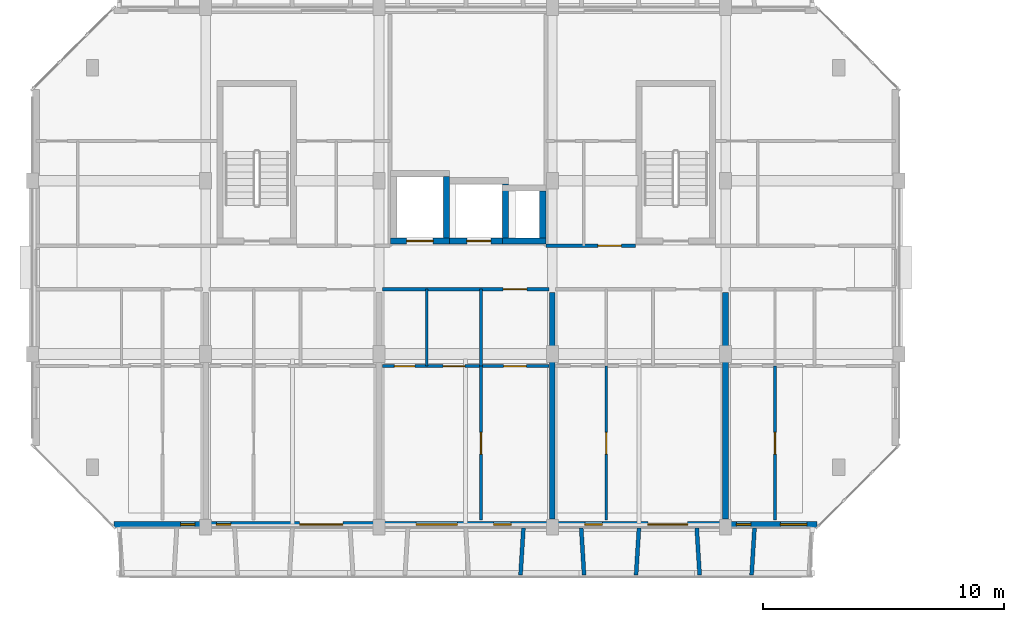
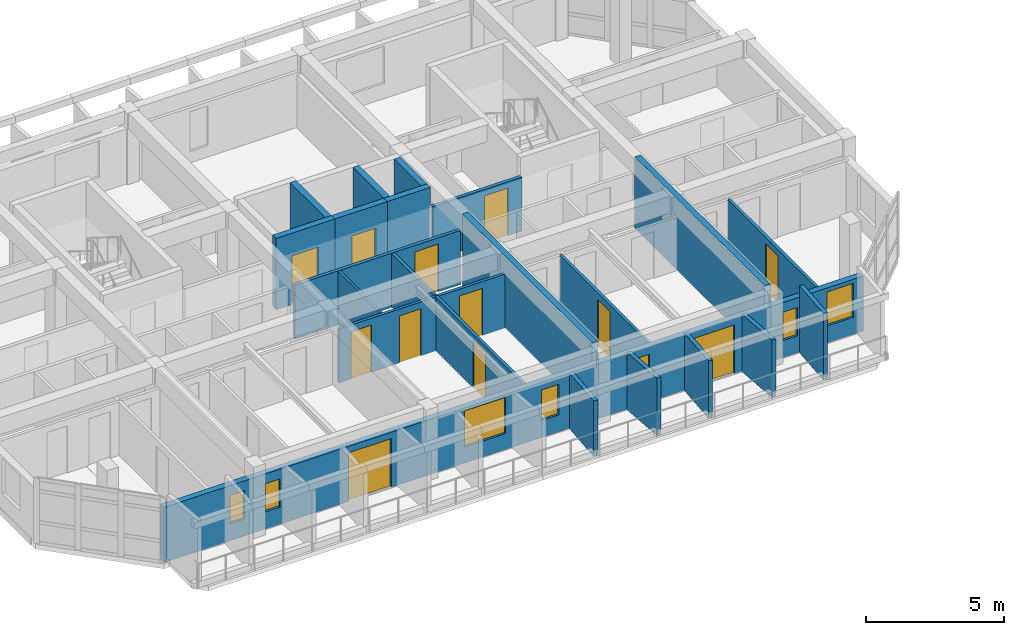
# One storey, part 23 of 51: 22 walls, 12 doors, 7 windows, 19 openings.
"""IFC4 building model written with IfcOpenShell, lengths in metres."""

from ifc_helpers import new_model, si_unit, direction, frame, frame_2d, origin, place, context, subcontext, project, spatial, rectangle, extrude, material, layer, layer_set, type_object, element, fill, save


model = new_model("IFC4")

# Units and contexts
model_context = context("Model", 3, precision=1e-05, world=origin(), true_north=direction((0.0, 1.0)))
body_context = subcontext(model_context, "Body", "Model", "MODEL_VIEW")
ifc_project = project(units=[si_unit("LENGTHUNIT", "METRE"), si_unit("AREAUNIT", "SQUARE_METRE"), si_unit("VOLUMEUNIT", "CUBIC_METRE"), si_unit("PLANEANGLEUNIT", "RADIAN"), si_unit("MASSUNIT", "GRAM", prefix="KILO")], contexts=[model_context])

# Site, building, storey
site_placement = place(None, origin())
site = spatial("IfcSite", under=ifc_project, at=site_placement, CompositionType="ELEMENT")
building_placement = place(site_placement, origin())
building = spatial("IfcBuilding", under=site, at=building_placement, Name="Ochrevale Crest", CompositionType="ELEMENT")
storey_placement = place(building_placement, frame((0.0, 0.0, 11.85009765625)))
storey = spatial("IfcBuildingStorey", under=building, at=storey_placement, Name="L03", CompositionType="ELEMENT", Elevation=11.85009765625)

# Wall, opening, door
ifc_material_1 = material(Name="Gypsum plasterboard", Category="gypsum")
ifc_layer_1 = layer(ifc_material_1, 0.139892578125)
ifc_layer_set_1 = layer_set([ifc_layer_1], Name="Gypsum plasterboard")
wall_type_1 = type_object("IfcWallType", Name="WL-COR-140", PredefinedType="PARTITIONING", material=ifc_layer_set_1)
wall_1_placement = place(storey_placement, frame((14.5400390625, 24.300048828125, 0.0), z_axis=(0.0, 0.0, 1.0), x_axis=(1.0, 0.0, 0.0)))
wall_1 = element("IfcWall", 1, at=wall_1_placement, inside=storey, type_object=wall_type_1, Name="Apartment A-L03-U3 corridor wall", PredefinedType="PARTITIONING", context=body_context, shape_type="SweptSolid", body=[
    extrude(rectangle(XDim=6.919921875, YDim=0.139892578125, at=frame_2d((3.4599609375, 0.0))), origin(), (0.0, 0.0, 1.0), 2.3798828125),
])
opening_1_placement = place(wall_1_placement, frame((6.0, 0.0, 0.0), z_axis=(0.0, 0.0, 1.0), x_axis=(-1.0, 0.0, 0.0)))
opening_1 = element("IfcOpeningElement", 2, at=opening_1_placement, cuts=wall_1, Name="Opening FD01", PredefinedType="OPENING", context=body_context, shape_type="SweptSolid", body=[
    extrude(rectangle(XDim=0.97998046875, YDim=2.10009765625, at=frame_2d((0.489990234375, 1.050048828125))), frame((0.0, 0.080078125, 0.0), z_axis=(0.0, -1.0, 0.0), x_axis=(1.0, 0.0, 0.0)), (0.0, 0.0, 1.0), 0.159912109375),
])
ifc_material_2 = material(Name="Solid-core FSC hardwood", Category="wood")
door_type_1 = type_object("IfcDoorType", Name="DR-APT-950", OperationType="NOTDEFINED", PredefinedType="DOOR", material=ifc_material_2)
door_1_placement = place(opening_1_placement, origin())
door_1 = element("IfcDoor", 3, at=door_1_placement, inside=storey, type_object=door_type_1, Name="Apartment A-L03-U3 entrance door", OperationType="SINGLE_SWING_RIGHT", OverallHeight=2.10009765625, OverallWidth=0.97998046875, PredefinedType="DOOR", context=body_context, shape_type="SweptSolid", body=[
    extrude(rectangle(XDim=0.97998046875, YDim=2.10009765625, at=frame_2d((0.489990234375, 1.050048828125))), frame((0.0, 0.02490234375, 0.0), z_axis=(0.0, -1.0, 0.0), x_axis=(1.0, 0.0, 0.0)), (0.0, 0.0, 1.0), 0.050048828125),
])
fill(opening_1, door_1)

wall_2_placement = place(storey_placement, frame((21.340087890625, 26.10009765625, 0.0), z_axis=(0.0, 0.0, 1.0), x_axis=(1.0, 0.0, 0.0)))
wall_2 = element("IfcWall", 4, at=wall_2_placement, inside=storey, type_object=wall_type_1, Name="Suite A-L03-ME corridor wall", PredefinedType="PARTITIONING", context=body_context, shape_type="SweptSolid", body=[
    extrude(rectangle(XDim=3.719970703125, YDim=0.139892578125, at=frame_2d((1.85986328125, 0.0))), origin(), (0.0, 0.0, 1.0), 2.3798828125),
])
opening_2_placement = place(wall_2_placement, frame((2.151123046875, 0.0, 0.0)))
opening_2 = element("IfcOpeningElement", 5, at=opening_2_placement, cuts=wall_2, Name="Opening FD01", PredefinedType="OPENING", context=body_context, shape_type="SweptSolid", body=[
    extrude(rectangle(XDim=0.97998046875, YDim=2.10009765625, at=frame_2d((0.489990234375, 1.050048828125))), frame((0.0, 0.080078125, 0.0), z_axis=(0.0, -1.0, 0.0), x_axis=(1.0, 0.0, 0.0)), (0.0, 0.0, 1.0), 0.159912109375),
])
door_2_placement = place(opening_2_placement, origin())
door_2 = element("IfcDoor", 6, at=door_2_placement, inside=storey, type_object=door_type_1, Name="Suite A-L03-ME entrance door", OperationType="SINGLE_SWING_LEFT", OverallHeight=2.10009765625, OverallWidth=0.97998046875, PredefinedType="DOOR", context=body_context, shape_type="SweptSolid", body=[
    extrude(rectangle(XDim=0.97998046875, YDim=2.10009765625, at=frame_2d((0.489990234375, 1.050048828125))), frame((0.0, 0.02490234375, 0.0), z_axis=(0.0, -1.0, 0.0), x_axis=(1.0, 0.0, 0.0)), (0.0, 0.0, 1.0), 0.050048828125),
])
fill(opening_2, door_2)

ifc_material_3 = material(Name="Precast concrete C50/60", Category="concrete")
ifc_layer_2 = layer(ifc_material_3, 0.2548828125)
ifc_layer_set_2 = layer_set([ifc_layer_2], Name="Precast concrete C50/60")
wall_type_2 = type_object("IfcWallType", Name="WL-CORE-255", PredefinedType="SHEAR", material=ifc_layer_set_2)
wall_3_placement = place(storey_placement, frame((14.87255859375, 26.300048828125, 0.0), z_axis=(0.0, 0.0, 1.0), x_axis=(1.0, 0.0, 0.0)))
wall_3 = element("IfcWall", 7, at=wall_3_placement, inside=storey, type_object=wall_type_2, Name="Block A L03 Lift 1 precast shaft shear wall S", PredefinedType="SHEAR", context=body_context, shape_type="SweptSolid", body=[
    extrude(rectangle(XDim=2.454833984375, YDim=0.2548828125, at=frame_2d((1.2275390625, 0.0))), origin(), (0.0, 0.0, 1.0), 3.14990234375),
])
opening_3_placement = place(wall_3_placement, frame((0.677490234375, 0.0, 0.0)))
opening_3 = element("IfcOpeningElement", 8, at=opening_3_placement, cuts=wall_3, Name="Opening LD01", PredefinedType="OPENING", context=body_context, shape_type="SweptSolid", body=[
    extrude(rectangle(XDim=1.10009765625, YDim=2.14990234375, at=frame_2d((0.550048828125, 1.074951171875))), frame((0.0, 0.137451171875, 0.0), z_axis=(0.0, -1.0, 0.0), x_axis=(1.0, 0.0, 0.0)), (0.0, 0.0, 1.0), 0.27490234375),
])
door_type_2 = type_object("IfcDoorType", Name="DR-LIFT-1100", OperationType="NOTDEFINED", PredefinedType="DOOR", material=ifc_material_2)
door_3_placement = place(opening_3_placement, origin())
door_3 = element("IfcDoor", 9, at=door_3_placement, inside=storey, type_object=door_type_2, Name="Lift LF-A1 L03 sliding landing door", OperationType="SLIDING_TO_LEFT", OverallHeight=2.14990234375, OverallWidth=1.10009765625, PredefinedType="DOOR", context=body_context, shape_type="SweptSolid", body=[
    extrude(rectangle(XDim=1.10009765625, YDim=2.14990234375, at=frame_2d((0.550048828125, 1.074951171875))), frame((0.0, 0.02490234375, 0.0), z_axis=(0.0, -1.0, 0.0), x_axis=(1.0, 0.0, 0.0)), (0.0, 0.0, 1.0), 0.050048828125),
])
fill(opening_3, door_3)

# Wall
wall_4_placement = place(storey_placement, frame((17.199951171875, 26.427490234375, 0.0), z_axis=(0.0, 0.0, 1.0), x_axis=(0.0, 1.0, 0.0)))
element("IfcWall", 10, at=wall_4_placement, inside=storey, type_object=wall_type_2, Name="Block A L03 Lift 1 precast shaft shear wall E", PredefinedType="SHEAR", context=body_context, shape_type="SweptSolid", body=[
    extrude(rectangle(XDim=2.544921875, YDim=0.2548828125, at=frame_2d((1.2724609375, 0.0))), origin(), (0.0, 0.0, 1.0), 3.14990234375),
])

# Wall, opening, door
wall_5_placement = place(storey_placement, frame((17.322509765625, 26.300048828125, 0.0), z_axis=(0.0, 0.0, 1.0), x_axis=(1.0, 0.0, 0.0)))
wall_5 = element("IfcWall", 11, at=wall_5_placement, inside=storey, type_object=wall_type_2, Name="Block A L03 Lift 2 precast shaft shear wall S", PredefinedType="SHEAR", context=body_context, shape_type="SweptSolid", body=[
    extrude(rectangle(XDim=2.455078125, YDim=0.2548828125, at=frame_2d((1.2275390625, 0.0))), origin(), (0.0, 0.0, 1.0), 3.14990234375),
])
opening_4_placement = place(wall_5_placement, frame((0.7275390625, 0.0, 0.0)))
opening_4 = element("IfcOpeningElement", 12, at=opening_4_placement, cuts=wall_5, Name="Opening LD02", PredefinedType="OPENING", context=body_context, shape_type="SweptSolid", body=[
    extrude(rectangle(XDim=1.0, YDim=2.14990234375, at=frame_2d((0.5, 1.074951171875))), frame((0.0, 0.137451171875, 0.0), z_axis=(0.0, -1.0, 0.0), x_axis=(1.0, 0.0, 0.0)), (0.0, 0.0, 1.0), 0.27490234375),
])
door_type_3 = type_object("IfcDoorType", Name="DR-LIFT-1000", OperationType="NOTDEFINED", PredefinedType="DOOR", material=ifc_material_2)
door_4_placement = place(opening_4_placement, origin())
door_4 = element("IfcDoor", 13, at=door_4_placement, inside=storey, type_object=door_type_3, Name="Lift LP-A2 L03 sliding landing door", OperationType="SLIDING_TO_RIGHT", OverallHeight=2.14990234375, OverallWidth=1.0, PredefinedType="DOOR", context=body_context, shape_type="SweptSolid", body=[
    extrude(rectangle(XDim=1.0, YDim=2.14990234375, at=frame_2d((0.5, 1.074951171875))), frame((0.0, 0.02490234375, 0.0), z_axis=(0.0, -1.0, 0.0), x_axis=(1.0, 0.0, 0.0)), (0.0, 0.0, 1.0), 0.050048828125),
])
fill(opening_4, door_4)

# Walls
wall_6_placement = place(storey_placement, frame((19.64990234375, 26.427490234375, 0.0), z_axis=(0.0, 0.0, 1.0), x_axis=(0.0, 1.0, 0.0)))
element("IfcWall", 14, at=wall_6_placement, inside=storey, type_object=wall_type_2, Name="Block A L03 Lift 2 precast shaft shear wall E", PredefinedType="SHEAR", context=body_context, shape_type="SweptSolid", body=[
    extrude(rectangle(XDim=2.2451171875, YDim=0.2548828125, at=frame_2d((1.12255859375, 0.0))), origin(), (0.0, 0.0, 1.0), 3.14990234375),
])
wall_7_placement = place(storey_placement, frame((19.5224609375, 26.300048828125, 0.0), z_axis=(0.0, 0.0, 1.0), x_axis=(1.0, 0.0, 0.0)))
element("IfcWall", 15, at=wall_7_placement, inside=storey, type_object=wall_type_2, Name="Block A L03 services riser shaft core wall S", PredefinedType="SHEAR", context=body_context, shape_type="SweptSolid", body=[
    extrude(rectangle(XDim=1.804931640625, YDim=0.2548828125, at=frame_2d((0.90234375, 0.0))), origin(), (0.0, 0.0, 1.0), 3.14990234375),
])
wall_8_placement = place(storey_placement, frame((21.199951171875, 26.427490234375, 0.0), z_axis=(0.0, 0.0, 1.0), x_axis=(0.0, 1.0, 0.0)))
element("IfcWall", 16, at=wall_8_placement, inside=storey, type_object=wall_type_2, Name="Block A L03 services riser shaft core wall E", PredefinedType="SHEAR", context=body_context, shape_type="SweptSolid", body=[
    extrude(rectangle(XDim=1.945068359375, YDim=0.2548828125, at=frame_2d((0.97265625, 0.0))), origin(), (0.0, 0.0, 1.0), 3.14990234375),
])

# Wall, openings, doors, windows
ifc_material_4 = material(Name="Precast concrete C40/50", Category="concrete")
ifc_layer_3 = layer(ifc_material_4, 0.25)
ifc_layer_set_3 = layer_set([ifc_layer_3], Name="Precast concrete C40/50")
wall_type_3 = type_object("IfcWallType", Name="WL-EXT-GOLD-250", PredefinedType="SOLIDWALL", material=ifc_layer_set_3)
wall_9_placement = place(storey_placement, frame((3.39990234375, 14.52490234375, 0.0), z_axis=(0.0, 0.0, 1.0), x_axis=(1.0, 0.0, 0.0)))
wall_9 = element("IfcWall", 17, at=wall_9_placement, inside=storey, type_object=wall_type_3, Name="Block A L03 external facade wall E1", PredefinedType="SOLIDWALL", context=body_context, shape_type="SweptSolid", body=[
    extrude(rectangle(XDim=29.2001953125, YDim=0.25, at=frame_2d((14.60009765625, 0.0))), origin(), (0.0, 0.0, 1.0), 2.429931640625),
])
opening_5_placement = place(wall_9_placement, frame((9.5, 0.0, 0.0), z_axis=(0.0, 0.0, 1.0), x_axis=(-1.0, 0.0, 0.0)))
opening_5 = element("IfcOpeningElement", 18, at=opening_5_placement, cuts=wall_9, Name="Opening BD03", PredefinedType="OPENING", context=body_context, shape_type="SweptSolid", body=[
    extrude(rectangle(XDim=1.800048828125, YDim=2.14990234375, at=frame_2d((0.89990234375, 1.074951171875))), frame((0.0, 0.135009765625, 0.0), z_axis=(0.0, -1.0, 0.0), x_axis=(1.0, 0.0, 0.0)), (0.0, 0.0, 1.0), 0.27001953125),
])
opening_6_placement = place(wall_9_placement, frame((23.824951171875, 0.0, 0.0), z_axis=(0.0, 0.0, 1.0), x_axis=(-1.0, 0.0, 0.0)))
opening_6 = element("IfcOpeningElement", 19, at=opening_6_placement, cuts=wall_9, Name="Opening BD02", PredefinedType="OPENING", context=body_context, shape_type="SweptSolid", body=[
    extrude(rectangle(XDim=1.64990234375, YDim=2.14990234375, at=frame_2d((0.824951171875, 1.074951171875))), frame((0.0, 0.135009765625, 0.0), z_axis=(0.0, -1.0, 0.0), x_axis=(1.0, 0.0, 0.0)), (0.0, 0.0, 1.0), 0.27001953125),
])
opening_7_placement = place(wall_9_placement, frame((2.7548828125, 0.0, 0.75)))
opening_7 = element("IfcOpeningElement", 20, at=opening_7_placement, cuts=wall_9, Name="Opening W01", PredefinedType="OPENING", context=body_context, shape_type="SweptSolid", body=[
    extrude(rectangle(XDim=0.60009765625, YDim=1.25, at=frame_2d((0.300048828125, 0.625))), frame((0.0, 0.135009765625, 0.0), z_axis=(0.0, -1.0, 0.0), x_axis=(1.0, 0.0, 0.0)), (0.0, 0.0, 1.0), 0.27001953125),
])
opening_8_placement = place(wall_9_placement, frame((4.2451171875, 0.0, 0.75)))
opening_8 = element("IfcOpeningElement", 21, at=opening_8_placement, cuts=wall_9, Name="Opening W01", PredefinedType="OPENING", context=body_context, shape_type="SweptSolid", body=[
    extrude(rectangle(XDim=0.60009765625, YDim=1.25, at=frame_2d((0.300048828125, 0.625))), frame((0.0, 0.135009765625, 0.0), z_axis=(0.0, -1.0, 0.0), x_axis=(1.0, 0.0, 0.0)), (0.0, 0.0, 1.0), 0.27001953125),
])
opening_9_placement = place(wall_9_placement, frame((12.5400390625, 0.0, 0.699951171875)))
opening_9 = element("IfcOpeningElement", 22, at=opening_9_placement, cuts=wall_9, Name="Opening W10", PredefinedType="OPENING", context=body_context, shape_type="SweptSolid", body=[
    extrude(rectangle(XDim=1.719970703125, YDim=1.60009765625, at=frame_2d((0.85986328125, 0.800048828125))), frame((0.0, 0.135009765625, 0.0), z_axis=(0.0, -1.0, 0.0), x_axis=(1.0, 0.0, 0.0)), (0.0, 0.0, 1.0), 0.27001953125),
])
opening_10_placement = place(wall_9_placement, frame((15.764892578125, 0.0, 0.75)))
opening_10 = element("IfcOpeningElement", 23, at=opening_10_placement, cuts=wall_9, Name="Opening W02", PredefinedType="OPENING", context=body_context, shape_type="SweptSolid", body=[
    extrude(rectangle(XDim=0.719970703125, YDim=1.35009765625, at=frame_2d((0.35986328125, 0.675048828125))), frame((0.0, 0.135009765625, 0.0), z_axis=(0.0, -1.0, 0.0), x_axis=(1.0, 0.0, 0.0)), (0.0, 0.0, 1.0), 0.27001953125),
])
opening_11_placement = place(wall_9_placement, frame((19.554931640625, 0.0, 0.75)))
opening_11 = element("IfcOpeningElement", 24, at=opening_11_placement, cuts=wall_9, Name="Opening W02", PredefinedType="OPENING", context=body_context, shape_type="SweptSolid", body=[
    extrude(rectangle(XDim=0.719970703125, YDim=1.35009765625, at=frame_2d((0.35986328125, 0.675048828125))), frame((0.0, 0.135009765625, 0.0), z_axis=(0.0, -1.0, 0.0), x_axis=(1.0, 0.0, 0.0)), (0.0, 0.0, 1.0), 0.27001953125),
])
opening_12_placement = place(wall_9_placement, frame((25.844970703125, 0.0, 0.75)))
opening_12 = element("IfcOpeningElement", 25, at=opening_12_placement, cuts=wall_9, Name="Opening W01", PredefinedType="OPENING", context=body_context, shape_type="SweptSolid", body=[
    extrude(rectangle(XDim=0.60009765625, YDim=1.25, at=frame_2d((0.300048828125, 0.625))), frame((0.0, 0.135009765625, 0.0), z_axis=(0.0, -1.0, 0.0), x_axis=(1.0, 0.0, 0.0)), (0.0, 0.0, 1.0), 0.27001953125),
])
opening_13_placement = place(wall_9_placement, frame((27.679931640625, 0.0, 0.75)))
opening_13 = element("IfcOpeningElement", 26, at=opening_13_placement, cuts=wall_9, Name="Opening W05", PredefinedType="OPENING", context=body_context, shape_type="SweptSolid", body=[
    extrude(rectangle(XDim=1.10009765625, YDim=1.5, at=frame_2d((0.550048828125, 0.75))), frame((0.0, 0.135009765625, 0.0), z_axis=(0.0, -1.0, 0.0), x_axis=(1.0, 0.0, 0.0)), (0.0, 0.0, 1.0), 0.27001953125),
])
ifc_material_5 = material(Name="Anodised aluminium 6063-T5 and toughened glass", Category="aluminium")
door_type_4 = type_object("IfcDoorType", Name="DR-BAL-1650", OperationType="NOTDEFINED", PredefinedType="DOOR", material=ifc_material_5)
door_5_placement = place(opening_6_placement, origin())
door_5 = element("IfcDoor", 27, at=door_5_placement, inside=storey, type_object=door_type_4, Name="Block A L03 balcony door S4", OperationType="SINGLE_SWING_RIGHT", OverallHeight=2.14990234375, OverallWidth=1.64990234375, PredefinedType="DOOR", context=body_context, shape_type="SweptSolid", body=[
    extrude(rectangle(XDim=1.64990234375, YDim=2.14990234375, at=frame_2d((0.824951171875, 1.074951171875))), frame((0.0, 0.02490234375, 0.0), z_axis=(0.0, -1.0, 0.0), x_axis=(1.0, 0.0, 0.0)), (0.0, 0.0, 1.0), 0.050048828125),
])
fill(opening_6, door_5)
door_type_5 = type_object("IfcDoorType", Name="DR-BAL-1800", OperationType="NOTDEFINED", PredefinedType="DOOR", material=ifc_material_5)
door_6_placement = place(opening_5_placement, origin())
door_6 = element("IfcDoor", 28, at=door_6_placement, inside=storey, type_object=door_type_5, Name="Block A L03 balcony door S2", OperationType="SINGLE_SWING_LEFT", OverallHeight=2.14990234375, OverallWidth=1.800048828125, PredefinedType="DOOR", context=body_context, shape_type="SweptSolid", body=[
    extrude(rectangle(XDim=1.800048828125, YDim=2.14990234375, at=frame_2d((0.89990234375, 1.074951171875))), frame((0.0, 0.02490234375, 0.0), z_axis=(0.0, -1.0, 0.0), x_axis=(1.0, 0.0, 0.0)), (0.0, 0.0, 1.0), 0.050048828125),
])
fill(opening_5, door_6)
ifc_material_6 = material(Name="Anodised aluminium 6063-T5 and low-E double glazing", Category="aluminium")
window_type_1 = type_object("IfcWindowType", Name="WIN-W01", PartitioningType="SINGLE_PANEL", PredefinedType="WINDOW", material=ifc_material_6)
window_1_placement = place(opening_7_placement, origin())
window_1 = element("IfcWindow", 29, at=window_1_placement, inside=storey, type_object=window_type_1, Name="Block A L03 Apartment A-L03-U1 Three Bedroom Family Living window", OverallHeight=1.25, OverallWidth=0.60009765625, PartitioningType="SINGLE_PANEL", PredefinedType="WINDOW", context=body_context, shape_type="SweptSolid", body=[
    extrude(rectangle(XDim=0.60009765625, YDim=1.25, at=frame_2d((0.300048828125, 0.625))), frame((0.0, 0.030029296875, 0.0), z_axis=(0.0, -1.0, 0.0), x_axis=(1.0, 0.0, 0.0)), (0.0, 0.0, 1.0), 0.06005859375),
])
fill(opening_7, window_1)
window_2_placement = place(opening_8_placement, origin())
window_2 = element("IfcWindow", 30, at=window_2_placement, inside=storey, type_object=window_type_1, Name="Block A L03 Apartment A-L03-U2 Double Bedroom window", OverallHeight=1.25, OverallWidth=0.60009765625, PartitioningType="SINGLE_PANEL", PredefinedType="WINDOW", context=body_context, shape_type="SweptSolid", body=[
    extrude(rectangle(XDim=0.60009765625, YDim=1.25, at=frame_2d((0.300048828125, 0.625))), frame((0.0, 0.030029296875, 0.0), z_axis=(0.0, -1.0, 0.0), x_axis=(1.0, 0.0, 0.0)), (0.0, 0.0, 1.0), 0.06005859375),
])
fill(opening_8, window_2)
window_3_placement = place(opening_12_placement, origin())
window_3 = element("IfcWindow", 31, at=window_3_placement, inside=storey, type_object=window_type_1, Name="Block A L03 Apartment A-L03-U5 Twin Bedroom window", OverallHeight=1.25, OverallWidth=0.60009765625, PartitioningType="SINGLE_PANEL", PredefinedType="WINDOW", context=body_context, shape_type="SweptSolid", body=[
    extrude(rectangle(XDim=0.60009765625, YDim=1.25, at=frame_2d((0.300048828125, 0.625))), frame((0.0, 0.030029296875, 0.0), z_axis=(0.0, -1.0, 0.0), x_axis=(1.0, 0.0, 0.0)), (0.0, 0.0, 1.0), 0.06005859375),
])
fill(opening_12, window_3)
window_type_2 = type_object("IfcWindowType", Name="WIN-W02", PartitioningType="SINGLE_PANEL", PredefinedType="WINDOW", material=ifc_material_6)
window_4_placement = place(opening_10_placement, origin())
window_4 = element("IfcWindow", 32, at=window_4_placement, inside=storey, type_object=window_type_2, Name="Block A L03 Apartment A-L03-U3 One Bedroom Living Room window", OverallHeight=1.35009765625, OverallWidth=0.719970703125, PartitioningType="SINGLE_PANEL", PredefinedType="WINDOW", context=body_context, shape_type="SweptSolid", body=[
    extrude(rectangle(XDim=0.719970703125, YDim=1.35009765625, at=frame_2d((0.35986328125, 0.675048828125))), frame((0.0, 0.030029296875, 0.0), z_axis=(0.0, -1.0, 0.0), x_axis=(1.0, 0.0, 0.0)), (0.0, 0.0, 1.0), 0.06005859375),
])
fill(opening_10, window_4)
window_5_placement = place(opening_11_placement, origin())
window_5 = element("IfcWindow", 33, at=window_5_placement, inside=storey, type_object=window_type_2, Name="Block A L03 Apartment A-L03-U4 Master Bedroom window", OverallHeight=1.35009765625, OverallWidth=0.719970703125, PartitioningType="SINGLE_PANEL", PredefinedType="WINDOW", context=body_context, shape_type="SweptSolid", body=[
    extrude(rectangle(XDim=0.719970703125, YDim=1.35009765625, at=frame_2d((0.35986328125, 0.675048828125))), frame((0.0, 0.030029296875, 0.0), z_axis=(0.0, -1.0, 0.0), x_axis=(1.0, 0.0, 0.0)), (0.0, 0.0, 1.0), 0.06005859375),
])
fill(opening_11, window_5)
window_type_3 = type_object("IfcWindowType", Name="WIN-W05", PartitioningType="SINGLE_PANEL", PredefinedType="WINDOW", material=ifc_material_6)
window_6_placement = place(opening_13_placement, origin())
window_6 = element("IfcWindow", 34, at=window_6_placement, inside=storey, type_object=window_type_3, Name="Block A L03 Apartment A-L03-U5 Three Bedroom Family Living window", OverallHeight=1.5, OverallWidth=1.10009765625, PartitioningType="SINGLE_PANEL", PredefinedType="WINDOW", context=body_context, shape_type="SweptSolid", body=[
    extrude(rectangle(XDim=1.10009765625, YDim=1.5, at=frame_2d((0.550048828125, 0.75))), frame((0.0, 0.030029296875, 0.0), z_axis=(0.0, -1.0, 0.0), x_axis=(1.0, 0.0, 0.0)), (0.0, 0.0, 1.0), 0.06005859375),
])
fill(opening_13, window_6)
window_type_4 = type_object("IfcWindowType", Name="WIN-W10", PartitioningType="SINGLE_PANEL", PredefinedType="WINDOW", material=ifc_material_6)
window_7_placement = place(opening_9_placement, origin())
window_7 = element("IfcWindow", 35, at=window_7_placement, inside=storey, type_object=window_type_4, Name="Block A L03 Apartment A-L03-U3 Master Bedroom window", OverallHeight=1.60009765625, OverallWidth=1.719970703125, PartitioningType="SINGLE_PANEL", PredefinedType="WINDOW", context=body_context, shape_type="SweptSolid", body=[
    extrude(rectangle(XDim=1.719970703125, YDim=1.60009765625, at=frame_2d((0.85986328125, 0.800048828125))), frame((0.0, 0.030029296875, 0.0), z_axis=(0.0, -1.0, 0.0), x_axis=(1.0, 0.0, 0.0)), (0.0, 0.0, 1.0), 0.06005859375),
])
fill(opening_9, window_7)

# Walls
ifc_layer_4 = layer(ifc_material_4, 0.1650390625)
ifc_layer_set_4 = layer_set([ifc_layer_4], Name="Precast concrete C40/50")
wall_type_4 = type_object("IfcWallType", Name="WL-HC-CHEEK-165", PredefinedType="ELEMENTEDWALL", material=ifc_layer_set_4)
wall_10_placement = place(storey_placement, frame((20.39990234375, 14.3798828125, 0.0), z_axis=(0.0, 0.0, 1.0), x_axis=(-0.061046865508, -0.998134900808, 0.0)))
element("IfcWall", 36, at=wall_10_placement, inside=storey, type_object=wall_type_4, Name="Block A L03 S precast honeycomb cheek 8", PredefinedType="ELEMENTEDWALL", context=body_context, shape_type="SweptSolid", body=[
    extrude(rectangle(XDim=1.963623046875, YDim=0.1650390625, at=frame_2d((0.98193359375, 0.0))), origin(), (0.0, 0.0, 1.0), 2.449951171875),
])
for number, where, z_axis, x_axis, name in (
    (37, (22.800048828125, 14.3798828125, 0.0), (0.0, 0.0, 1.0), (0.061046865508, -0.998134900808, 0.0), "Block A L03 S precast honeycomb cheek 9"),
    (38, (25.199951171875, 14.3798828125, 0.0), (0.0, 0.0, 1.0), (-0.061046865508, -0.998134900808, 0.0), "Block A L03 S precast honeycomb cheek 10"),
    (39, (27.60009765625, 14.3798828125, 0.0), (0.0, 0.0, 1.0), (0.061046865508, -0.998134900808, 0.0), "Block A L03 S precast honeycomb cheek 11"),
):
    element("IfcWall", number, at=place(storey_placement, frame(where, z_axis=z_axis, x_axis=x_axis)), inside=storey, type_object=wall_type_4, Name=name, PredefinedType="ELEMENTEDWALL", context=body_context, shape_type="SweptSolid", body=[
        extrude(rectangle(XDim=1.963623046875, YDim=0.1650390625, at=frame_2d((0.98193359375, 0.0))), origin(), (0.0, 0.0, 1.0), 2.52978515625),
    ])
wall_11_placement = place(storey_placement, frame((30.0, 14.3798828125, 0.0), z_axis=(0.0, 0.0, 1.0), x_axis=(-0.061170732449, -0.998127317276, 0.0)))
element("IfcWall", 40, at=wall_11_placement, inside=storey, type_object=wall_type_4, Name="Block A L03 S precast honeycomb cheek 12", PredefinedType="ELEMENTEDWALL", context=body_context, shape_type="SweptSolid", body=[
    extrude(rectangle(XDim=1.963623046875, YDim=0.1650390625, at=frame_2d((0.98193359375, 0.0))), origin(), (0.0, 0.0, 1.0), 2.949951171875),
])
ifc_layer_5 = layer(ifc_material_1, 0.1201171875)
ifc_layer_set_5 = layer_set([ifc_layer_5], Name="Gypsum plasterboard")
wall_type_5 = type_object("IfcWallType", Name="WL-PART-120", PredefinedType="PARTITIONING", material=ifc_layer_set_5)
wall_12_placement = place(storey_placement, frame((18.639892578125, 21.10009765625, 0.0), z_axis=(0.0, 0.0, 1.0), x_axis=(0.0, 1.0, 0.0)))
element("IfcWall", 41, at=wall_12_placement, inside=storey, type_object=wall_type_5, Name="Apartment A-L03-U3 kitchen-foyer wall", PredefinedType="PARTITIONING", context=body_context, shape_type="SweptSolid", body=[
    extrude(rectangle(XDim=3.199951171875, YDim=0.1201171875, at=frame_2d((1.60009765625, 0.0))), origin(), (0.0, 0.0, 1.0), 2.375),
])

# Wall, openings, doors
wall_13_placement = place(storey_placement, frame((14.5400390625, 21.10009765625, 0.0), z_axis=(0.0, 0.0, 1.0), x_axis=(1.0, 0.0, 0.0)))
wall_13 = element("IfcWall", 42, at=wall_13_placement, inside=storey, type_object=wall_type_5, Name="Apartment A-L03-U3 central partition", PredefinedType="PARTITIONING", context=body_context, shape_type="SweptSolid", body=[
    extrude(rectangle(XDim=6.919921875, YDim=0.1201171875, at=frame_2d((3.4599609375, 0.0))), origin(), (0.0, 0.0, 1.0), 2.3798828125),
])
opening_14_placement = place(wall_13_placement, frame((0.5, 0.0, 0.0)))
opening_14 = element("IfcOpeningElement", 43, at=opening_14_placement, cuts=wall_13, Name="Opening ID01", PredefinedType="OPENING", context=body_context, shape_type="SweptSolid", body=[
    extrude(rectangle(XDim=0.85009765625, YDim=2.080078125, at=frame_2d((0.425048828125, 1.0400390625))), frame((0.0, 0.070068359375, 0.0), z_axis=(0.0, -1.0, 0.0), x_axis=(1.0, 0.0, 0.0)), (0.0, 0.0, 1.0), 0.14013671875),
])
opening_15_placement = place(wall_13_placement, frame((3.4248046875, 0.0, 0.0), z_axis=(0.0, 0.0, 1.0), x_axis=(-1.0, 0.0, 0.0)))
opening_15 = element("IfcOpeningElement", 44, at=opening_15_placement, cuts=wall_13, Name="Opening ID02", PredefinedType="OPENING", context=body_context, shape_type="SweptSolid", body=[
    extrude(rectangle(XDim=0.89990234375, YDim=2.080078125, at=frame_2d((0.449951171875, 1.0400390625))), frame((0.0, 0.070068359375, 0.0), z_axis=(0.0, -1.0, 0.0), x_axis=(1.0, 0.0, 0.0)), (0.0, 0.0, 1.0), 0.14013671875),
])
opening_16_placement = place(wall_13_placement, frame((5.034912109375, 0.0, 0.0)))
opening_16 = element("IfcOpeningElement", 45, at=opening_16_placement, cuts=wall_13, Name="Opening ID06", PredefinedType="OPENING", context=body_context, shape_type="SweptSolid", body=[
    extrude(rectangle(XDim=0.949951171875, YDim=2.080078125, at=frame_2d((0.47509765625, 1.0400390625))), frame((0.0, 0.070068359375, 0.0), z_axis=(0.0, -1.0, 0.0), x_axis=(1.0, 0.0, 0.0)), (0.0, 0.0, 1.0), 0.14013671875),
])
door_type_6 = type_object("IfcDoorType", Name="DR-INT-900", OperationType="NOTDEFINED", PredefinedType="DOOR", material=ifc_material_2)
door_7_placement = place(opening_15_placement, origin())
door_7 = element("IfcDoor", 46, at=door_7_placement, inside=storey, type_object=door_type_6, Name="Apartment A-L03-U3 Kitchen door", OperationType="SINGLE_SWING_RIGHT", OverallHeight=2.080078125, OverallWidth=0.89990234375, PredefinedType="DOOR", context=body_context, shape_type="SweptSolid", body=[
    extrude(rectangle(XDim=0.89990234375, YDim=2.080078125, at=frame_2d((0.449951171875, 1.0400390625))), frame((0.0, 0.02490234375, 0.0), z_axis=(0.0, -1.0, 0.0), x_axis=(1.0, 0.0, 0.0)), (0.0, 0.0, 1.0), 0.050048828125),
])
fill(opening_15, door_7)
door_type_7 = type_object("IfcDoorType", Name="DR-INT-950", OperationType="NOTDEFINED", PredefinedType="DOOR", material=ifc_material_2)
door_8_placement = place(opening_16_placement, origin())
door_8 = element("IfcDoor", 47, at=door_8_placement, inside=storey, type_object=door_type_7, Name="Apartment A-L03-U3 Living Foyer door", OperationType="SINGLE_SWING_LEFT", OverallHeight=2.080078125, OverallWidth=0.949951171875, PredefinedType="DOOR", context=body_context, shape_type="SweptSolid", body=[
    extrude(rectangle(XDim=0.949951171875, YDim=2.080078125, at=frame_2d((0.47509765625, 1.0400390625))), frame((0.0, 0.02490234375, 0.0), z_axis=(0.0, -1.0, 0.0), x_axis=(1.0, 0.0, 0.0)), (0.0, 0.0, 1.0), 0.050048828125),
])
fill(opening_16, door_8)
door_type_8 = type_object("IfcDoorType", Name="DR-WC-850", OperationType="NOTDEFINED", PredefinedType="DOOR", material=ifc_material_2)
door_9_placement = place(opening_14_placement, origin())
door_9 = element("IfcDoor", 48, at=door_9_placement, inside=storey, type_object=door_type_8, Name="Apartment A-L03-U3 Bathroom door", OperationType="SINGLE_SWING_LEFT", OverallHeight=2.080078125, OverallWidth=0.85009765625, PredefinedType="DOOR", context=body_context, shape_type="SweptSolid", body=[
    extrude(rectangle(XDim=0.85009765625, YDim=2.080078125, at=frame_2d((0.425048828125, 1.0400390625))), frame((0.0, 0.02490234375, 0.0), z_axis=(0.0, -1.0, 0.0), x_axis=(1.0, 0.0, 0.0)), (0.0, 0.0, 1.0), 0.050048828125),
])
fill(opening_14, door_9)

# Wall, opening, door
wall_14_placement = place(storey_placement, frame((18.639892578125, 14.699951171875, 0.0), z_axis=(0.0, 0.0, 1.0), x_axis=(0.0, 1.0, 0.0)))
wall_14 = element("IfcWall", 49, at=wall_14_placement, inside=storey, type_object=wall_type_5, Name="Apartment A-L03-U3 bedroom partition", PredefinedType="PARTITIONING", context=body_context, shape_type="SweptSolid", body=[
    extrude(rectangle(XDim=6.400146484375, YDim=0.1201171875, at=frame_2d((3.2001953125, 0.0))), origin(), (0.0, 0.0, 1.0), 2.3798828125),
])
opening_17_placement = place(wall_14_placement, frame((3.64990234375, 0.0, 0.0), z_axis=(0.0, 0.0, 1.0), x_axis=(-1.0, 0.0, 0.0)))
opening_17 = element("IfcOpeningElement", 50, at=opening_17_placement, cuts=wall_14, Name="Opening ID02", PredefinedType="OPENING", context=body_context, shape_type="SweptSolid", body=[
    extrude(rectangle(XDim=0.89990234375, YDim=2.080078125, at=frame_2d((0.449951171875, 1.0400390625))), frame((0.0, 0.070068359375, 0.0), z_axis=(0.0, -1.0, 0.0), x_axis=(1.0, 0.0, 0.0)), (0.0, 0.0, 1.0), 0.14013671875),
])
door_10_placement = place(opening_17_placement, origin())
door_10 = element("IfcDoor", 51, at=door_10_placement, inside=storey, type_object=door_type_6, Name="Apartment A-L03-U3 Master Bedroom door", OperationType="SINGLE_SWING_RIGHT", OverallHeight=2.080078125, OverallWidth=0.89990234375, PredefinedType="DOOR", context=body_context, shape_type="SweptSolid", body=[
    extrude(rectangle(XDim=0.89990234375, YDim=2.080078125, at=frame_2d((0.449951171875, 1.0400390625))), frame((0.0, 0.02490234375, 0.0), z_axis=(0.0, -1.0, 0.0), x_axis=(1.0, 0.0, 0.0)), (0.0, 0.0, 1.0), 0.050048828125),
])
fill(opening_17, door_10)

wall_15_placement = place(storey_placement, frame((23.840087890625, 14.699951171875, 0.0), z_axis=(0.0, 0.0, 1.0), x_axis=(0.0, 1.0, 0.0)))
wall_15 = element("IfcWall", 52, at=wall_15_placement, inside=storey, type_object=wall_type_5, Name="Apartment A-L03-U4 bedroom partition", PredefinedType="PARTITIONING", context=body_context, shape_type="SweptSolid", body=[
    extrude(rectangle(XDim=6.400146484375, YDim=0.1201171875, at=frame_2d((3.2001953125, 0.0))), origin(), (0.0, 0.0, 1.0), 2.3798828125),
])
opening_18_placement = place(wall_15_placement, frame((2.75, 0.0, 0.0)))
opening_18 = element("IfcOpeningElement", 53, at=opening_18_placement, cuts=wall_15, Name="Opening ID02", PredefinedType="OPENING", context=body_context, shape_type="SweptSolid", body=[
    extrude(rectangle(XDim=0.89990234375, YDim=2.080078125, at=frame_2d((0.449951171875, 1.0400390625))), frame((0.0, 0.070068359375, 0.0), z_axis=(0.0, -1.0, 0.0), x_axis=(1.0, 0.0, 0.0)), (0.0, 0.0, 1.0), 0.14013671875),
])
door_11_placement = place(opening_18_placement, origin())
door_11 = element("IfcDoor", 54, at=door_11_placement, inside=storey, type_object=door_type_6, Name="Apartment A-L03-U4 Master Bedroom door", OperationType="SINGLE_SWING_LEFT", OverallHeight=2.080078125, OverallWidth=0.89990234375, PredefinedType="DOOR", context=body_context, shape_type="SweptSolid", body=[
    extrude(rectangle(XDim=0.89990234375, YDim=2.080078125, at=frame_2d((0.449951171875, 1.0400390625))), frame((0.0, 0.02490234375, 0.0), z_axis=(0.0, -1.0, 0.0), x_axis=(1.0, 0.0, 0.0)), (0.0, 0.0, 1.0), 0.050048828125),
])
fill(opening_18, door_11)

wall_16_placement = place(storey_placement, frame((30.85009765625, 14.699951171875, 0.0), z_axis=(0.0, 0.0, 1.0), x_axis=(0.0, 1.0, 0.0)))
wall_16 = element("IfcWall", 55, at=wall_16_placement, inside=storey, type_object=wall_type_5, Name="Apartment A-L03-U5 bedroom partition", PredefinedType="PARTITIONING", context=body_context, shape_type="SweptSolid", body=[
    extrude(rectangle(XDim=6.400146484375, YDim=0.1201171875, at=frame_2d((3.2001953125, 0.0))), origin(), (0.0, 0.0, 1.0), 2.3798828125),
])
opening_19_placement = place(wall_16_placement, frame((3.64990234375, 0.0, 0.0), z_axis=(0.0, 0.0, 1.0), x_axis=(-1.0, 0.0, 0.0)))
opening_19 = element("IfcOpeningElement", 56, at=opening_19_placement, cuts=wall_16, Name="Opening ID02", PredefinedType="OPENING", context=body_context, shape_type="SweptSolid", body=[
    extrude(rectangle(XDim=0.89990234375, YDim=2.080078125, at=frame_2d((0.449951171875, 1.0400390625))), frame((0.0, 0.070068359375, 0.0), z_axis=(0.0, -1.0, 0.0), x_axis=(1.0, 0.0, 0.0)), (0.0, 0.0, 1.0), 0.14013671875),
])
door_12_placement = place(opening_19_placement, origin())
door_12 = element("IfcDoor", 57, at=door_12_placement, inside=storey, type_object=door_type_6, Name="Apartment A-L03-U5 Twin Bedroom door", OperationType="SINGLE_SWING_RIGHT", OverallHeight=2.080078125, OverallWidth=0.89990234375, PredefinedType="DOOR", context=body_context, shape_type="SweptSolid", body=[
    extrude(rectangle(XDim=0.89990234375, YDim=2.080078125, at=frame_2d((0.449951171875, 1.0400390625))), frame((0.0, 0.02490234375, 0.0), z_axis=(0.0, -1.0, 0.0), x_axis=(1.0, 0.0, 0.0)), (0.0, 0.0, 1.0), 0.050048828125),
])
fill(opening_19, door_12)

# Walls
ifc_layer_6 = layer(ifc_material_3, 0.239990234375)
ifc_layer_set_6 = layer_set([ifc_layer_6], Name="Precast concrete C50/60")
wall_type_6 = type_object("IfcWallType", Name="WL-SHEAR-240", PredefinedType="SHEAR", material=ifc_layer_set_6)
for number, where, z_axis, x_axis, name in (
    (58, (21.60009765625, 14.75, 0.0), (0.0, 0.0, 1.0), (0.0, 1.0, 0.0), "Block A L03 load-bearing precast cross-wall X=21.6"),
    (59, (28.800048828125, 14.75, 0.0), (0.0, 0.0, 1.0), (0.0, 1.0, 0.0), "Block A L03 load-bearing precast cross-wall X=28.8"),
):
    element("IfcWall", number, at=place(storey_placement, frame(where, z_axis=z_axis, x_axis=x_axis)), inside=storey, type_object=wall_type_6, Name=name, PredefinedType="SHEAR", context=body_context, shape_type="SweptSolid", body=[
        extrude(rectangle(XDim=9.39990234375, YDim=0.239990234375, at=frame_2d((4.699951171875, 0.0))), origin(), (0.0, 0.0, 1.0), 3.14990234375),
    ])
ifc_layer_7 = layer(ifc_material_1, 0.10009765625)
ifc_layer_set_7 = layer_set([ifc_layer_7], Name="Gypsum plasterboard")
wall_type_7 = type_object("IfcWallType", Name="WL-WET-100", PredefinedType="PARTITIONING", material=ifc_layer_set_7)
wall_17_placement = place(storey_placement, frame((16.389892578125, 21.10009765625, 0.0), z_axis=(0.0, 0.0, 1.0), x_axis=(0.0, 1.0, 0.0)))
element("IfcWall", 60, at=wall_17_placement, inside=storey, type_object=wall_type_7, Name="Apartment A-L03-U3 bath-kitchen wall", PredefinedType="PARTITIONING", context=body_context, shape_type="SweptSolid", body=[
    extrude(rectangle(XDim=3.199951171875, YDim=0.10009765625, at=frame_2d((1.60009765625, 0.0))), origin(), (0.0, 0.0, 1.0), 2.375),
])

save(model, "model.ifc")
